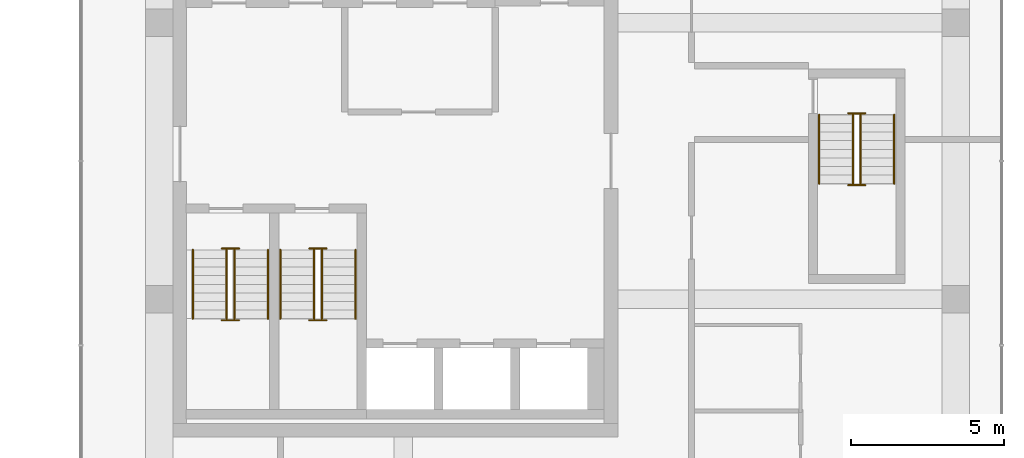
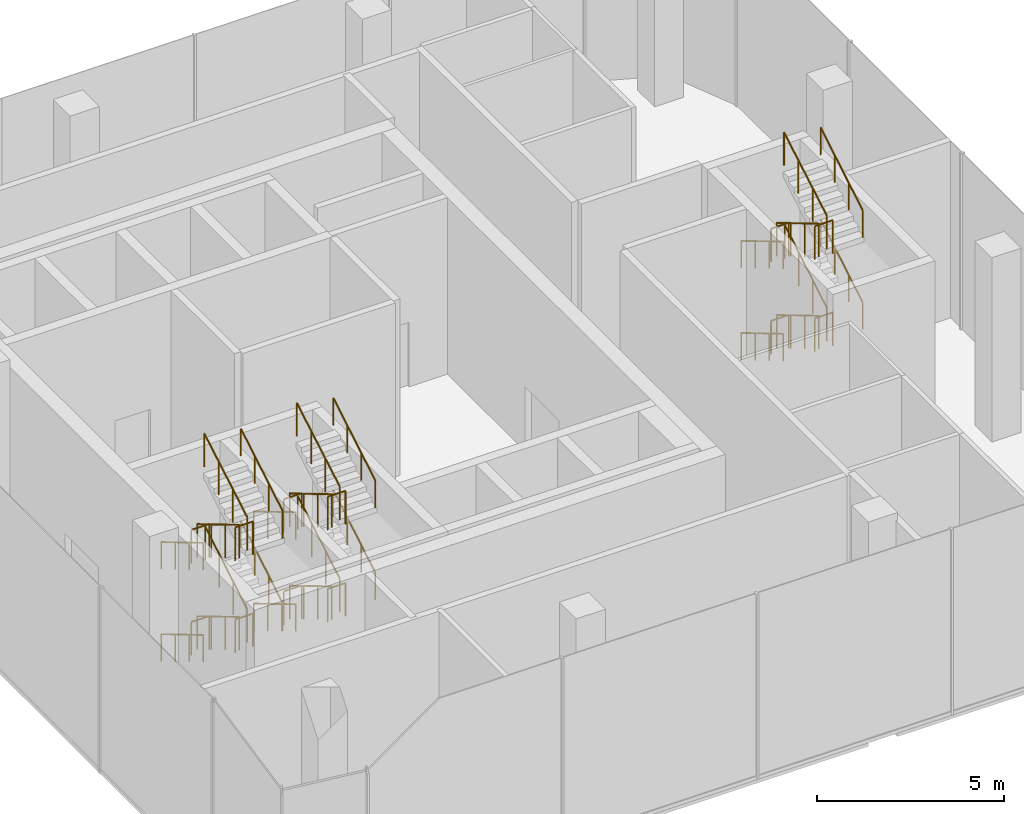
# One storey, part 24 of 24: 36 railings.
"""IFC4 building model written with IfcOpenShell, lengths in metres."""

from ifc_helpers import new_model, si_unit, direction, frame, origin, origin_2d, place, context, subcontext, project, spatial, circle, extrude, material, type_object, element, save


model = new_model("IFC4")

# Units and contexts
model_context = context("Model", 3, precision=1e-05, world=origin(), true_north=direction((0.0, 1.0)))
body_context = subcontext(model_context, "Body", "Model", "MODEL_VIEW")
ifc_project = project(units=[si_unit("LENGTHUNIT", "METRE"), si_unit("AREAUNIT", "SQUARE_METRE"), si_unit("VOLUMEUNIT", "CUBIC_METRE"), si_unit("PLANEANGLEUNIT", "RADIAN"), si_unit("MASSUNIT", "GRAM", prefix="KILO")], contexts=[model_context])

# Site, building, storey
site_placement = place(None, origin())
site = spatial("IfcSite", under=ifc_project, at=site_placement, CompositionType="ELEMENT")
building_placement = place(site_placement, origin())
building = spatial("IfcBuilding", under=site, at=building_placement, Name="Plateau Cross Towers", CompositionType="ELEMENT")
storey_placement = place(building_placement, frame((0.0, 0.0, 72.300048828125)))
storey = spatial("IfcBuildingStorey", under=building, at=storey_placement, Name="L18", CompositionType="ELEMENT", Elevation=72.300048828125)

# Railings
ifc_material_1 = material(Name="Stainless steel and toughened glass", Category="steel")
railing_type_1 = type_object("IfcRailingType", Name="RL-GUARD-1100", PredefinedType="GUARDRAIL", material=ifc_material_1)
railing_1_placement = place(storey_placement, frame((76.75, 6.10009765625, 0.16650390625)))
element("IfcRailing", 1, at=railing_1_placement, inside=storey, type_object=railing_type_1, Name="L18 SB-1 stair guard 1", PredefinedType="GUARDRAIL", context=body_context, shape_type="SweptSolid", body=[
    extrude(circle(Radius=0.02392578125, at=origin_2d()), frame((0.0, 0.0, 1.076171875), z_axis=(0.0, -0.859264461869, 0.511531606619), x_axis=(1.0, 0.0, 0.0)), (0.0, 0.0, 1.0), 2.60693359375),
    extrude(circle(Radius=0.02099609375, at=origin_2d()), origin(), (0.0, 0.0, 1.0), 1.052001953125),
    extrude(circle(Radius=0.02099609375, at=origin_2d()), frame((0.0, -0.74658203125, 0.444580078125)), (0.0, 0.0, 1.0), 1.052001953125),
    extrude(circle(Radius=0.02099609375, at=origin_2d()), frame((0.0, -1.493408203125, 0.888916015625)), (0.0, 0.0, 1.0), 1.052001953125),
    extrude(circle(Radius=0.02099609375, at=origin_2d()), frame((0.0, -2.239990234375, 1.33349609375)), (0.0, 0.0, 1.0), 1.052001953125),
])
railing_2_placement = place(storey_placement, frame((76.60009765625, 3.81005859375, 1.5)))
element("IfcRailing", 2, at=railing_2_placement, inside=storey, type_object=railing_type_1, Name="L18 SB-1 stair guard 2", PredefinedType="GUARDRAIL", context=body_context, shape_type="SweptSolid", body=[
    extrude(circle(Radius=0.02392578125, at=origin_2d()), frame((0.0, 0.0, 1.076171875), z_axis=(1.0, 0.0, 0.0), x_axis=(0.0, 1.0, 0.0)), (0.0, 0.0, 1.0), 0.5498046875),
    extrude(circle(Radius=0.02099609375, at=origin_2d()), origin(), (0.0, 0.0, 1.0), 1.052001953125),
    extrude(circle(Radius=0.02099609375, at=origin_2d()), frame((0.5498046875, 0.0, 0.0)), (0.0, 0.0, 1.0), 1.052001953125),
])
railing_3_placement = place(storey_placement, frame((77.0, 3.860107421875, 1.66650390625)))
element("IfcRailing", 3, at=railing_3_placement, inside=storey, type_object=railing_type_1, Name="L18 SB-1 stair guard 3", PredefinedType="GUARDRAIL", context=body_context, shape_type="SweptSolid", body=[
    extrude(circle(Radius=0.02392578125, at=origin_2d()), frame((0.0, 0.0, 1.076171875), z_axis=(0.0, 0.859264461869, 0.511531606619), x_axis=(-1.0, 0.0, 0.0)), (0.0, 0.0, 1.0), 2.60693359375),
    extrude(circle(Radius=0.02099609375, at=origin_2d()), origin(), (0.0, 0.0, 1.0), 1.052001953125),
    extrude(circle(Radius=0.02099609375, at=origin_2d()), frame((0.0, 0.74658203125, 0.444580078125)), (0.0, 0.0, 1.0), 1.052001953125),
    extrude(circle(Radius=0.02099609375, at=origin_2d()), frame((0.0, 1.493408203125, 0.888916015625)), (0.0, 0.0, 1.0), 1.052001953125),
    extrude(circle(Radius=0.02099609375, at=origin_2d()), frame((0.0, 2.239990234375, 1.33349609375)), (0.0, 0.0, 1.0), 1.052001953125),
])
railing_4_placement = place(storey_placement, frame((76.60009765625, 6.14990234375, 3.0)))
element("IfcRailing", 4, at=railing_4_placement, inside=storey, type_object=railing_type_1, Name="L18 SB-1 stair guard 4", PredefinedType="GUARDRAIL", context=body_context, shape_type="SweptSolid", body=[
    extrude(circle(Radius=0.02392578125, at=origin_2d()), frame((0.0, 0.0, 1.076171875), z_axis=(1.0, 0.0, 0.0), x_axis=(0.0, 1.0, 0.0)), (0.0, 0.0, 1.0), 0.5498046875),
    extrude(circle(Radius=0.02099609375, at=origin_2d()), origin(), (0.0, 0.0, 1.0), 1.052001953125),
    extrude(circle(Radius=0.02099609375, at=origin_2d()), frame((0.5498046875, 0.0, 0.0)), (0.0, 0.0, 1.0), 1.052001953125),
])
railing_5_placement = place(storey_placement, frame((76.75, 6.10009765625, 3.16650390625)))
element("IfcRailing", 5, at=railing_5_placement, inside=storey, type_object=railing_type_1, Name="L18 SB-1 stair guard 5", PredefinedType="GUARDRAIL", context=body_context, shape_type="SweptSolid", body=[
    extrude(circle(Radius=0.02392578125, at=origin_2d()), frame((0.0, 0.0, 1.076171875), z_axis=(0.0, -0.859264461869, 0.511531606619), x_axis=(1.0, 0.0, 0.0)), (0.0, 0.0, 1.0), 2.60693359375),
    extrude(circle(Radius=0.02099609375, at=origin_2d()), origin(), (0.0, 0.0, 1.0), 1.052001953125),
    extrude(circle(Radius=0.02099609375, at=origin_2d()), frame((0.0, -0.74658203125, 0.444580078125)), (0.0, 0.0, 1.0), 1.052001953125),
    extrude(circle(Radius=0.02099609375, at=origin_2d()), frame((0.0, -1.493408203125, 0.888916015625)), (0.0, 0.0, 1.0), 1.052001953125),
    extrude(circle(Radius=0.02099609375, at=origin_2d()), frame((0.0, -2.239990234375, 1.33349609375)), (0.0, 0.0, 1.0), 1.052001953125),
])
railing_6_placement = place(storey_placement, frame((76.60009765625, 3.81005859375, 4.5)))
element("IfcRailing", 6, at=railing_6_placement, inside=storey, type_object=railing_type_1, Name="L18 SB-1 stair guard 6", PredefinedType="GUARDRAIL", context=body_context, shape_type="SweptSolid", body=[
    extrude(circle(Radius=0.02392578125, at=origin_2d()), frame((0.0, 0.0, 1.076171875), z_axis=(1.0, 0.0, 0.0), x_axis=(0.0, 1.0, 0.0)), (0.0, 0.0, 1.0), 0.5498046875),
    extrude(circle(Radius=0.02099609375, at=origin_2d()), origin(), (0.0, 0.0, 1.0), 1.052001953125),
    extrude(circle(Radius=0.02099609375, at=origin_2d()), frame((0.5498046875, 0.0, 0.0)), (0.0, 0.0, 1.0), 1.052001953125),
])
railing_7_placement = place(storey_placement, frame((77.0, 3.860107421875, 4.66650390625)))
element("IfcRailing", 7, at=railing_7_placement, inside=storey, type_object=railing_type_1, Name="L18 SB-1 stair guard 7", PredefinedType="GUARDRAIL", context=body_context, shape_type="SweptSolid", body=[
    extrude(circle(Radius=0.02392578125, at=origin_2d()), frame((0.0, 0.0, 1.076171875), z_axis=(0.0, 0.864142922442, 0.503246470026), x_axis=(-1.0, 0.0, 0.0)), (0.0, 0.0, 1.0), 2.64990234375),
    extrude(circle(Radius=0.02099609375, at=origin_2d()), origin(), (0.0, 0.0, 1.0), 1.052001953125),
    extrude(circle(Radius=0.02099609375, at=origin_2d()), frame((0.0, 0.76318359375, 0.444580078125)), (0.0, 0.0, 1.0), 1.052001953125),
    extrude(circle(Radius=0.02099609375, at=origin_2d()), frame((0.0, 1.526611328125, 0.888916015625)), (0.0, 0.0, 1.0), 1.052001953125),
    extrude(circle(Radius=0.02099609375, at=origin_2d()), frame((0.0, 2.289794921875, 1.33349609375)), (0.0, 0.0, 1.0), 1.052001953125),
])
railing_8_placement = place(storey_placement, frame((76.60009765625, 6.14990234375, 0.0)))
element("IfcRailing", 8, at=railing_8_placement, inside=storey, type_object=railing_type_1, Name="L18 SB-1 stair guard 8", PredefinedType="GUARDRAIL", context=body_context, shape_type="SweptSolid", body=[
    extrude(circle(Radius=0.02392578125, at=origin_2d()), frame((0.0, 0.0, 1.076171875), z_axis=(1.0, 0.0, 0.0), x_axis=(0.0, 1.0, 0.0)), (0.0, 0.0, 1.0), 0.5498046875),
    extrude(circle(Radius=0.02099609375, at=origin_2d()), origin(), (0.0, 0.0, 1.0), 1.052001953125),
    extrude(circle(Radius=0.02099609375, at=origin_2d()), frame((0.5498046875, 0.0, 0.0)), (0.0, 0.0, 1.0), 1.052001953125),
])
railing_9_placement = place(storey_placement, frame((79.60009765625, 6.10009765625, 0.16650390625)))
element("IfcRailing", 9, at=railing_9_placement, inside=storey, type_object=railing_type_1, Name="L18 SB-2 stair guard 1", PredefinedType="GUARDRAIL", context=body_context, shape_type="SweptSolid", body=[
    extrude(circle(Radius=0.02392578125, at=origin_2d()), frame((0.0, 0.0, 1.076171875), z_axis=(0.0, -0.859264461869, 0.511531606619), x_axis=(1.0, 0.0, 0.0)), (0.0, 0.0, 1.0), 2.60693359375),
    extrude(circle(Radius=0.02099609375, at=origin_2d()), origin(), (0.0, 0.0, 1.0), 1.052001953125),
    extrude(circle(Radius=0.02099609375, at=origin_2d()), frame((0.0, -0.74658203125, 0.444580078125)), (0.0, 0.0, 1.0), 1.052001953125),
    extrude(circle(Radius=0.02099609375, at=origin_2d()), frame((0.0, -1.493408203125, 0.888916015625)), (0.0, 0.0, 1.0), 1.052001953125),
    extrude(circle(Radius=0.02099609375, at=origin_2d()), frame((0.0, -2.239990234375, 1.33349609375)), (0.0, 0.0, 1.0), 1.052001953125),
])
railing_10_placement = place(storey_placement, frame((79.449951171875, 3.81005859375, 1.5)))
element("IfcRailing", 10, at=railing_10_placement, inside=storey, type_object=railing_type_1, Name="L18 SB-2 stair guard 2", PredefinedType="GUARDRAIL", context=body_context, shape_type="SweptSolid", body=[
    extrude(circle(Radius=0.02392578125, at=origin_2d()), frame((0.0, 0.0, 1.076171875), z_axis=(1.0, 0.0, 0.0), x_axis=(0.0, 1.0, 0.0)), (0.0, 0.0, 1.0), 0.550048828125),
    extrude(circle(Radius=0.02099609375, at=origin_2d()), origin(), (0.0, 0.0, 1.0), 1.052001953125),
    extrude(circle(Radius=0.02099609375, at=origin_2d()), frame((0.550048828125, 0.0, 0.0)), (0.0, 0.0, 1.0), 1.052001953125),
])
railing_11_placement = place(storey_placement, frame((79.85009765625, 3.860107421875, 1.66650390625)))
element("IfcRailing", 11, at=railing_11_placement, inside=storey, type_object=railing_type_1, Name="L18 SB-2 stair guard 3", PredefinedType="GUARDRAIL", context=body_context, shape_type="SweptSolid", body=[
    extrude(circle(Radius=0.02392578125, at=origin_2d()), frame((0.0, 0.0, 1.076171875), z_axis=(0.0, 0.859264461869, 0.511531606619), x_axis=(-1.0, 0.0, 0.0)), (0.0, 0.0, 1.0), 2.60693359375),
    extrude(circle(Radius=0.02099609375, at=origin_2d()), origin(), (0.0, 0.0, 1.0), 1.052001953125),
    extrude(circle(Radius=0.02099609375, at=origin_2d()), frame((0.0, 0.74658203125, 0.444580078125)), (0.0, 0.0, 1.0), 1.052001953125),
    extrude(circle(Radius=0.02099609375, at=origin_2d()), frame((0.0, 1.493408203125, 0.888916015625)), (0.0, 0.0, 1.0), 1.052001953125),
    extrude(circle(Radius=0.02099609375, at=origin_2d()), frame((0.0, 2.239990234375, 1.33349609375)), (0.0, 0.0, 1.0), 1.052001953125),
])
railing_12_placement = place(storey_placement, frame((79.449951171875, 6.14990234375, 3.0)))
element("IfcRailing", 12, at=railing_12_placement, inside=storey, type_object=railing_type_1, Name="L18 SB-2 stair guard 4", PredefinedType="GUARDRAIL", context=body_context, shape_type="SweptSolid", body=[
    extrude(circle(Radius=0.02392578125, at=origin_2d()), frame((0.0, 0.0, 1.076171875), z_axis=(1.0, 0.0, 0.0), x_axis=(0.0, 1.0, 0.0)), (0.0, 0.0, 1.0), 0.550048828125),
    extrude(circle(Radius=0.02099609375, at=origin_2d()), origin(), (0.0, 0.0, 1.0), 1.052001953125),
    extrude(circle(Radius=0.02099609375, at=origin_2d()), frame((0.550048828125, 0.0, 0.0)), (0.0, 0.0, 1.0), 1.052001953125),
])
railing_13_placement = place(storey_placement, frame((79.60009765625, 6.10009765625, 3.16650390625)))
element("IfcRailing", 13, at=railing_13_placement, inside=storey, type_object=railing_type_1, Name="L18 SB-2 stair guard 5", PredefinedType="GUARDRAIL", context=body_context, shape_type="SweptSolid", body=[
    extrude(circle(Radius=0.02392578125, at=origin_2d()), frame((0.0, 0.0, 1.076171875), z_axis=(0.0, -0.859264461869, 0.511531606619), x_axis=(1.0, 0.0, 0.0)), (0.0, 0.0, 1.0), 2.60693359375),
    extrude(circle(Radius=0.02099609375, at=origin_2d()), origin(), (0.0, 0.0, 1.0), 1.052001953125),
    extrude(circle(Radius=0.02099609375, at=origin_2d()), frame((0.0, -0.74658203125, 0.444580078125)), (0.0, 0.0, 1.0), 1.052001953125),
    extrude(circle(Radius=0.02099609375, at=origin_2d()), frame((0.0, -1.493408203125, 0.888916015625)), (0.0, 0.0, 1.0), 1.052001953125),
    extrude(circle(Radius=0.02099609375, at=origin_2d()), frame((0.0, -2.239990234375, 1.33349609375)), (0.0, 0.0, 1.0), 1.052001953125),
])
railing_14_placement = place(storey_placement, frame((79.449951171875, 3.81005859375, 4.5)))
element("IfcRailing", 14, at=railing_14_placement, inside=storey, type_object=railing_type_1, Name="L18 SB-2 stair guard 6", PredefinedType="GUARDRAIL", context=body_context, shape_type="SweptSolid", body=[
    extrude(circle(Radius=0.02392578125, at=origin_2d()), frame((0.0, 0.0, 1.076171875), z_axis=(1.0, 0.0, 0.0), x_axis=(0.0, 1.0, 0.0)), (0.0, 0.0, 1.0), 0.550048828125),
    extrude(circle(Radius=0.02099609375, at=origin_2d()), origin(), (0.0, 0.0, 1.0), 1.052001953125),
    extrude(circle(Radius=0.02099609375, at=origin_2d()), frame((0.550048828125, 0.0, 0.0)), (0.0, 0.0, 1.0), 1.052001953125),
])
railing_15_placement = place(storey_placement, frame((79.85009765625, 3.860107421875, 4.66650390625)))
element("IfcRailing", 15, at=railing_15_placement, inside=storey, type_object=railing_type_1, Name="L18 SB-2 stair guard 7", PredefinedType="GUARDRAIL", context=body_context, shape_type="SweptSolid", body=[
    extrude(circle(Radius=0.02392578125, at=origin_2d()), frame((0.0, 0.0, 1.076171875), z_axis=(0.0, 0.864142922442, 0.503246470026), x_axis=(-1.0, 0.0, 0.0)), (0.0, 0.0, 1.0), 2.64990234375),
    extrude(circle(Radius=0.02099609375, at=origin_2d()), origin(), (0.0, 0.0, 1.0), 1.052001953125),
    extrude(circle(Radius=0.02099609375, at=origin_2d()), frame((0.0, 0.76318359375, 0.444580078125)), (0.0, 0.0, 1.0), 1.052001953125),
    extrude(circle(Radius=0.02099609375, at=origin_2d()), frame((0.0, 1.526611328125, 0.888916015625)), (0.0, 0.0, 1.0), 1.052001953125),
    extrude(circle(Radius=0.02099609375, at=origin_2d()), frame((0.0, 2.289794921875, 1.33349609375)), (0.0, 0.0, 1.0), 1.052001953125),
])
railing_16_placement = place(storey_placement, frame((79.449951171875, 6.14990234375, 0.0)))
element("IfcRailing", 16, at=railing_16_placement, inside=storey, type_object=railing_type_1, Name="L18 SB-2 stair guard 8", PredefinedType="GUARDRAIL", context=body_context, shape_type="SweptSolid", body=[
    extrude(circle(Radius=0.02392578125, at=origin_2d()), frame((0.0, 0.0, 1.076171875), z_axis=(1.0, 0.0, 0.0), x_axis=(0.0, 1.0, 0.0)), (0.0, 0.0, 1.0), 0.550048828125),
    extrude(circle(Radius=0.02099609375, at=origin_2d()), origin(), (0.0, 0.0, 1.0), 1.052001953125),
    extrude(circle(Radius=0.02099609375, at=origin_2d()), frame((0.550048828125, 0.0, 0.0)), (0.0, 0.0, 1.0), 1.052001953125),
])
railing_17_placement = place(storey_placement, frame((97.14990234375, 10.5, 0.16650390625)))
element("IfcRailing", 17, at=railing_17_placement, inside=storey, type_object=railing_type_1, Name="L18 SB-3 stair guard 1", PredefinedType="GUARDRAIL", context=body_context, shape_type="SweptSolid", body=[
    extrude(circle(Radius=0.02392578125, at=origin_2d()), frame((0.0, 0.0, 1.076171875), z_axis=(0.0, -0.859264461869, 0.511531606619), x_axis=(1.0, 0.0, 0.0)), (0.0, 0.0, 1.0), 2.60693359375),
    extrude(circle(Radius=0.02099609375, at=origin_2d()), origin(), (0.0, 0.0, 1.0), 1.052001953125),
    extrude(circle(Radius=0.02099609375, at=origin_2d()), frame((0.0, -0.74658203125, 0.444580078125)), (0.0, 0.0, 1.0), 1.052001953125),
    extrude(circle(Radius=0.02099609375, at=origin_2d()), frame((0.0, -1.493408203125, 0.888916015625)), (0.0, 0.0, 1.0), 1.052001953125),
    extrude(circle(Radius=0.02099609375, at=origin_2d()), frame((0.0, -2.239990234375, 1.33349609375)), (0.0, 0.0, 1.0), 1.052001953125),
])
railing_18_placement = place(storey_placement, frame((97.0, 8.2099609375, 1.5)))
element("IfcRailing", 18, at=railing_18_placement, inside=storey, type_object=railing_type_1, Name="L18 SB-3 stair guard 2", PredefinedType="GUARDRAIL", context=body_context, shape_type="SweptSolid", body=[
    extrude(circle(Radius=0.02392578125, at=origin_2d()), frame((0.0, 0.0, 1.076171875), z_axis=(1.0, 0.0, 0.0), x_axis=(0.0, 1.0, 0.0)), (0.0, 0.0, 1.0), 0.550048828125),
    extrude(circle(Radius=0.02099609375, at=origin_2d()), origin(), (0.0, 0.0, 1.0), 1.052001953125),
    extrude(circle(Radius=0.02099609375, at=origin_2d()), frame((0.550048828125, 0.0, 0.0)), (0.0, 0.0, 1.0), 1.052001953125),
])
railing_19_placement = place(storey_placement, frame((97.39990234375, 8.260009765625, 1.66650390625)))
element("IfcRailing", 19, at=railing_19_placement, inside=storey, type_object=railing_type_1, Name="L18 SB-3 stair guard 3", PredefinedType="GUARDRAIL", context=body_context, shape_type="SweptSolid", body=[
    extrude(circle(Radius=0.02392578125, at=origin_2d()), frame((0.0, 0.0, 1.076171875), z_axis=(0.0, 0.859264461869, 0.511531606619), x_axis=(-1.0, 0.0, 0.0)), (0.0, 0.0, 1.0), 2.60693359375),
    extrude(circle(Radius=0.02099609375, at=origin_2d()), origin(), (0.0, 0.0, 1.0), 1.052001953125),
    extrude(circle(Radius=0.02099609375, at=origin_2d()), frame((0.0, 0.74658203125, 0.444580078125)), (0.0, 0.0, 1.0), 1.052001953125),
    extrude(circle(Radius=0.02099609375, at=origin_2d()), frame((0.0, 1.493408203125, 0.888916015625)), (0.0, 0.0, 1.0), 1.052001953125),
    extrude(circle(Radius=0.02099609375, at=origin_2d()), frame((0.0, 2.239990234375, 1.33349609375)), (0.0, 0.0, 1.0), 1.052001953125),
])
railing_20_placement = place(storey_placement, frame((97.0, 10.550048828125, 3.0)))
element("IfcRailing", 20, at=railing_20_placement, inside=storey, type_object=railing_type_1, Name="L18 SB-3 stair guard 4", PredefinedType="GUARDRAIL", context=body_context, shape_type="SweptSolid", body=[
    extrude(circle(Radius=0.02392578125, at=origin_2d()), frame((0.0, 0.0, 1.076171875), z_axis=(1.0, 0.0, 0.0), x_axis=(0.0, 1.0, 0.0)), (0.0, 0.0, 1.0), 0.550048828125),
    extrude(circle(Radius=0.02099609375, at=origin_2d()), origin(), (0.0, 0.0, 1.0), 1.052001953125),
    extrude(circle(Radius=0.02099609375, at=origin_2d()), frame((0.550048828125, 0.0, 0.0)), (0.0, 0.0, 1.0), 1.052001953125),
])
railing_21_placement = place(storey_placement, frame((97.14990234375, 10.5, 3.16650390625)))
element("IfcRailing", 21, at=railing_21_placement, inside=storey, type_object=railing_type_1, Name="L18 SB-3 stair guard 5", PredefinedType="GUARDRAIL", context=body_context, shape_type="SweptSolid", body=[
    extrude(circle(Radius=0.02392578125, at=origin_2d()), frame((0.0, 0.0, 1.076171875), z_axis=(0.0, -0.859264461869, 0.511531606619), x_axis=(1.0, 0.0, 0.0)), (0.0, 0.0, 1.0), 2.60693359375),
    extrude(circle(Radius=0.02099609375, at=origin_2d()), origin(), (0.0, 0.0, 1.0), 1.052001953125),
    extrude(circle(Radius=0.02099609375, at=origin_2d()), frame((0.0, -0.74658203125, 0.444580078125)), (0.0, 0.0, 1.0), 1.052001953125),
    extrude(circle(Radius=0.02099609375, at=origin_2d()), frame((0.0, -1.493408203125, 0.888916015625)), (0.0, 0.0, 1.0), 1.052001953125),
    extrude(circle(Radius=0.02099609375, at=origin_2d()), frame((0.0, -2.239990234375, 1.33349609375)), (0.0, 0.0, 1.0), 1.052001953125),
])
railing_22_placement = place(storey_placement, frame((97.0, 8.2099609375, 4.5)))
element("IfcRailing", 22, at=railing_22_placement, inside=storey, type_object=railing_type_1, Name="L18 SB-3 stair guard 6", PredefinedType="GUARDRAIL", context=body_context, shape_type="SweptSolid", body=[
    extrude(circle(Radius=0.02392578125, at=origin_2d()), frame((0.0, 0.0, 1.076171875), z_axis=(1.0, 0.0, 0.0), x_axis=(0.0, 1.0, 0.0)), (0.0, 0.0, 1.0), 0.550048828125),
    extrude(circle(Radius=0.02099609375, at=origin_2d()), origin(), (0.0, 0.0, 1.0), 1.052001953125),
    extrude(circle(Radius=0.02099609375, at=origin_2d()), frame((0.550048828125, 0.0, 0.0)), (0.0, 0.0, 1.0), 1.052001953125),
])
railing_23_placement = place(storey_placement, frame((97.39990234375, 8.260009765625, 4.66650390625)))
element("IfcRailing", 23, at=railing_23_placement, inside=storey, type_object=railing_type_1, Name="L18 SB-3 stair guard 7", PredefinedType="GUARDRAIL", context=body_context, shape_type="SweptSolid", body=[
    extrude(circle(Radius=0.02392578125, at=origin_2d()), frame((0.0, 0.0, 1.076171875), z_axis=(0.0, 0.864166253726, 0.503206404888), x_axis=(-1.0, 0.0, 0.0)), (0.0, 0.0, 1.0), 2.64990234375),
    extrude(circle(Radius=0.02099609375, at=origin_2d()), origin(), (0.0, 0.0, 1.0), 1.052001953125),
    extrude(circle(Radius=0.02099609375, at=origin_2d()), frame((0.0, 0.763427734375, 0.444580078125)), (0.0, 0.0, 1.0), 1.052001953125),
    extrude(circle(Radius=0.02099609375, at=origin_2d()), frame((0.0, 1.526611328125, 0.888916015625)), (0.0, 0.0, 1.0), 1.052001953125),
    extrude(circle(Radius=0.02099609375, at=origin_2d()), frame((0.0, 2.2900390625, 1.33349609375)), (0.0, 0.0, 1.0), 1.052001953125),
])
railing_24_placement = place(storey_placement, frame((97.0, 10.550048828125, 0.0)))
element("IfcRailing", 24, at=railing_24_placement, inside=storey, type_object=railing_type_1, Name="L18 SB-3 stair guard 8", PredefinedType="GUARDRAIL", context=body_context, shape_type="SweptSolid", body=[
    extrude(circle(Radius=0.02392578125, at=origin_2d()), frame((0.0, 0.0, 1.076171875), z_axis=(1.0, 0.0, 0.0), x_axis=(0.0, 1.0, 0.0)), (0.0, 0.0, 1.0), 0.550048828125),
    extrude(circle(Radius=0.02099609375, at=origin_2d()), origin(), (0.0, 0.0, 1.0), 1.052001953125),
    extrude(circle(Radius=0.02099609375, at=origin_2d()), frame((0.550048828125, 0.0, 0.0)), (0.0, 0.0, 1.0), 1.052001953125),
])
ifc_material_2 = material(Name="Black anodised aluminium", Category="aluminium")
railing_type_2 = type_object("IfcRailingType", Name="RL-HANDRAIL-900", PredefinedType="HANDRAIL", material=ifc_material_2)
railing_25_placement = place(storey_placement, frame((75.64990234375, 6.10009765625, 0.16650390625)))
element("IfcRailing", 25, at=railing_25_placement, inside=storey, type_object=railing_type_2, Name="L18 SB-1 stair handrail 1", PredefinedType="HANDRAIL", context=body_context, shape_type="SweptSolid", body=[
    extrude(circle(Radius=0.02392578125, at=origin_2d()), frame((0.0, 0.0, 0.8759765625), z_axis=(0.0, -0.859264461869, 0.511531606619), x_axis=(1.0, 0.0, 0.0)), (0.0, 0.0, 1.0), 2.60693359375),
    extrude(circle(Radius=0.02099609375, at=origin_2d()), origin(), (0.0, 0.0, 1.0), 0.851806640625),
    extrude(circle(Radius=0.02099609375, at=origin_2d()), frame((0.0, -0.74658203125, 0.444580078125)), (0.0, 0.0, 1.0), 0.851806640625),
    extrude(circle(Radius=0.02099609375, at=origin_2d()), frame((0.0, -1.493408203125, 0.888916015625)), (0.0, 0.0, 1.0), 0.851806640625),
    extrude(circle(Radius=0.02099609375, at=origin_2d()), frame((0.0, -2.239990234375, 1.33349609375)), (0.0, 0.0, 1.0), 0.851806640625),
])
railing_26_placement = place(storey_placement, frame((78.10009765625, 3.860107421875, 1.66650390625)))
element("IfcRailing", 26, at=railing_26_placement, inside=storey, type_object=railing_type_2, Name="L18 SB-1 stair handrail 2", PredefinedType="HANDRAIL", context=body_context, shape_type="SweptSolid", body=[
    extrude(circle(Radius=0.02392578125, at=origin_2d()), frame((0.0, 0.0, 0.8759765625), z_axis=(0.0, 0.859264461869, 0.511531606619), x_axis=(-1.0, 0.0, 0.0)), (0.0, 0.0, 1.0), 2.60693359375),
    extrude(circle(Radius=0.02099609375, at=origin_2d()), origin(), (0.0, 0.0, 1.0), 0.851806640625),
    extrude(circle(Radius=0.02099609375, at=origin_2d()), frame((0.0, 0.74658203125, 0.444580078125)), (0.0, 0.0, 1.0), 0.851806640625),
    extrude(circle(Radius=0.02099609375, at=origin_2d()), frame((0.0, 1.493408203125, 0.888916015625)), (0.0, 0.0, 1.0), 0.851806640625),
    extrude(circle(Radius=0.02099609375, at=origin_2d()), frame((0.0, 2.239990234375, 1.33349609375)), (0.0, 0.0, 1.0), 0.851806640625),
])
railing_27_placement = place(storey_placement, frame((75.64990234375, 6.10009765625, 3.16650390625)))
element("IfcRailing", 27, at=railing_27_placement, inside=storey, type_object=railing_type_2, Name="L18 SB-1 stair handrail 3", PredefinedType="HANDRAIL", context=body_context, shape_type="SweptSolid", body=[
    extrude(circle(Radius=0.02392578125, at=origin_2d()), frame((0.0, 0.0, 0.8759765625), z_axis=(0.0, -0.859264461869, 0.511531606619), x_axis=(1.0, 0.0, 0.0)), (0.0, 0.0, 1.0), 2.60693359375),
    extrude(circle(Radius=0.02099609375, at=origin_2d()), origin(), (0.0, 0.0, 1.0), 0.851806640625),
    extrude(circle(Radius=0.02099609375, at=origin_2d()), frame((0.0, -0.74658203125, 0.444580078125)), (0.0, 0.0, 1.0), 0.851806640625),
    extrude(circle(Radius=0.02099609375, at=origin_2d()), frame((0.0, -1.493408203125, 0.888916015625)), (0.0, 0.0, 1.0), 0.851806640625),
    extrude(circle(Radius=0.02099609375, at=origin_2d()), frame((0.0, -2.239990234375, 1.33349609375)), (0.0, 0.0, 1.0), 0.851806640625),
])
railing_28_placement = place(storey_placement, frame((78.10009765625, 3.860107421875, 4.66650390625)))
element("IfcRailing", 28, at=railing_28_placement, inside=storey, type_object=railing_type_2, Name="L18 SB-1 stair handrail 4", PredefinedType="HANDRAIL", context=body_context, shape_type="SweptSolid", body=[
    extrude(circle(Radius=0.02392578125, at=origin_2d()), frame((0.0, 0.0, 0.8759765625), z_axis=(0.0, 0.859264461869, 0.511531606619), x_axis=(-1.0, 0.0, 0.0)), (0.0, 0.0, 1.0), 2.60693359375),
    extrude(circle(Radius=0.02099609375, at=origin_2d()), origin(), (0.0, 0.0, 1.0), 0.851806640625),
    extrude(circle(Radius=0.02099609375, at=origin_2d()), frame((0.0, 0.74658203125, 0.444580078125)), (0.0, 0.0, 1.0), 0.851806640625),
    extrude(circle(Radius=0.02099609375, at=origin_2d()), frame((0.0, 1.493408203125, 0.888916015625)), (0.0, 0.0, 1.0), 0.851806640625),
    extrude(circle(Radius=0.02099609375, at=origin_2d()), frame((0.0, 2.239990234375, 1.33349609375)), (0.0, 0.0, 1.0), 0.851806640625),
])
railing_29_placement = place(storey_placement, frame((78.5, 6.10009765625, 0.16650390625)))
element("IfcRailing", 29, at=railing_29_placement, inside=storey, type_object=railing_type_2, Name="L18 SB-2 stair handrail 1", PredefinedType="HANDRAIL", context=body_context, shape_type="SweptSolid", body=[
    extrude(circle(Radius=0.02392578125, at=origin_2d()), frame((0.0, 0.0, 0.8759765625), z_axis=(0.0, -0.859264461869, 0.511531606619), x_axis=(1.0, 0.0, 0.0)), (0.0, 0.0, 1.0), 2.60693359375),
    extrude(circle(Radius=0.02099609375, at=origin_2d()), origin(), (0.0, 0.0, 1.0), 0.851806640625),
    extrude(circle(Radius=0.02099609375, at=origin_2d()), frame((0.0, -0.74658203125, 0.444580078125)), (0.0, 0.0, 1.0), 0.851806640625),
    extrude(circle(Radius=0.02099609375, at=origin_2d()), frame((0.0, -1.493408203125, 0.888916015625)), (0.0, 0.0, 1.0), 0.851806640625),
    extrude(circle(Radius=0.02099609375, at=origin_2d()), frame((0.0, -2.239990234375, 1.33349609375)), (0.0, 0.0, 1.0), 0.851806640625),
])
railing_30_placement = place(storey_placement, frame((80.949951171875, 3.860107421875, 1.66650390625)))
element("IfcRailing", 30, at=railing_30_placement, inside=storey, type_object=railing_type_2, Name="L18 SB-2 stair handrail 2", PredefinedType="HANDRAIL", context=body_context, shape_type="SweptSolid", body=[
    extrude(circle(Radius=0.02392578125, at=origin_2d()), frame((0.0, 0.0, 0.8759765625), z_axis=(0.0, 0.859264461869, 0.511531606619), x_axis=(-1.0, 0.0, 0.0)), (0.0, 0.0, 1.0), 2.60693359375),
    extrude(circle(Radius=0.02099609375, at=origin_2d()), origin(), (0.0, 0.0, 1.0), 0.851806640625),
    extrude(circle(Radius=0.02099609375, at=origin_2d()), frame((0.0, 0.74658203125, 0.444580078125)), (0.0, 0.0, 1.0), 0.851806640625),
    extrude(circle(Radius=0.02099609375, at=origin_2d()), frame((0.0, 1.493408203125, 0.888916015625)), (0.0, 0.0, 1.0), 0.851806640625),
    extrude(circle(Radius=0.02099609375, at=origin_2d()), frame((0.0, 2.239990234375, 1.33349609375)), (0.0, 0.0, 1.0), 0.851806640625),
])
railing_31_placement = place(storey_placement, frame((78.5, 6.10009765625, 3.16650390625)))
element("IfcRailing", 31, at=railing_31_placement, inside=storey, type_object=railing_type_2, Name="L18 SB-2 stair handrail 3", PredefinedType="HANDRAIL", context=body_context, shape_type="SweptSolid", body=[
    extrude(circle(Radius=0.02392578125, at=origin_2d()), frame((0.0, 0.0, 0.8759765625), z_axis=(0.0, -0.859264461869, 0.511531606619), x_axis=(1.0, 0.0, 0.0)), (0.0, 0.0, 1.0), 2.60693359375),
    extrude(circle(Radius=0.02099609375, at=origin_2d()), origin(), (0.0, 0.0, 1.0), 0.851806640625),
    extrude(circle(Radius=0.02099609375, at=origin_2d()), frame((0.0, -0.74658203125, 0.444580078125)), (0.0, 0.0, 1.0), 0.851806640625),
    extrude(circle(Radius=0.02099609375, at=origin_2d()), frame((0.0, -1.493408203125, 0.888916015625)), (0.0, 0.0, 1.0), 0.851806640625),
    extrude(circle(Radius=0.02099609375, at=origin_2d()), frame((0.0, -2.239990234375, 1.33349609375)), (0.0, 0.0, 1.0), 0.851806640625),
])
railing_32_placement = place(storey_placement, frame((80.949951171875, 3.860107421875, 4.66650390625)))
element("IfcRailing", 32, at=railing_32_placement, inside=storey, type_object=railing_type_2, Name="L18 SB-2 stair handrail 4", PredefinedType="HANDRAIL", context=body_context, shape_type="SweptSolid", body=[
    extrude(circle(Radius=0.02392578125, at=origin_2d()), frame((0.0, 0.0, 0.8759765625), z_axis=(0.0, 0.859264461869, 0.511531606619), x_axis=(-1.0, 0.0, 0.0)), (0.0, 0.0, 1.0), 2.60693359375),
    extrude(circle(Radius=0.02099609375, at=origin_2d()), origin(), (0.0, 0.0, 1.0), 0.851806640625),
    extrude(circle(Radius=0.02099609375, at=origin_2d()), frame((0.0, 0.74658203125, 0.444580078125)), (0.0, 0.0, 1.0), 0.851806640625),
    extrude(circle(Radius=0.02099609375, at=origin_2d()), frame((0.0, 1.493408203125, 0.888916015625)), (0.0, 0.0, 1.0), 0.851806640625),
    extrude(circle(Radius=0.02099609375, at=origin_2d()), frame((0.0, 2.239990234375, 1.33349609375)), (0.0, 0.0, 1.0), 0.851806640625),
])
railing_33_placement = place(storey_placement, frame((96.050048828125, 10.5, 0.16650390625)))
element("IfcRailing", 33, at=railing_33_placement, inside=storey, type_object=railing_type_2, Name="L18 SB-3 stair handrail 1", PredefinedType="HANDRAIL", context=body_context, shape_type="SweptSolid", body=[
    extrude(circle(Radius=0.02392578125, at=origin_2d()), frame((0.0, 0.0, 0.8759765625), z_axis=(0.0, -0.859264461869, 0.511531606619), x_axis=(1.0, 0.0, 0.0)), (0.0, 0.0, 1.0), 2.60693359375),
    extrude(circle(Radius=0.02099609375, at=origin_2d()), origin(), (0.0, 0.0, 1.0), 0.851806640625),
    extrude(circle(Radius=0.02099609375, at=origin_2d()), frame((0.0, -0.74658203125, 0.444580078125)), (0.0, 0.0, 1.0), 0.851806640625),
    extrude(circle(Radius=0.02099609375, at=origin_2d()), frame((0.0, -1.493408203125, 0.888916015625)), (0.0, 0.0, 1.0), 0.851806640625),
    extrude(circle(Radius=0.02099609375, at=origin_2d()), frame((0.0, -2.239990234375, 1.33349609375)), (0.0, 0.0, 1.0), 0.851806640625),
])
railing_34_placement = place(storey_placement, frame((98.5, 8.260009765625, 1.66650390625)))
element("IfcRailing", 34, at=railing_34_placement, inside=storey, type_object=railing_type_2, Name="L18 SB-3 stair handrail 2", PredefinedType="HANDRAIL", context=body_context, shape_type="SweptSolid", body=[
    extrude(circle(Radius=0.02392578125, at=origin_2d()), frame((0.0, 0.0, 0.8759765625), z_axis=(0.0, 0.859264461869, 0.511531606619), x_axis=(-1.0, 0.0, 0.0)), (0.0, 0.0, 1.0), 2.60693359375),
    extrude(circle(Radius=0.02099609375, at=origin_2d()), origin(), (0.0, 0.0, 1.0), 0.851806640625),
    extrude(circle(Radius=0.02099609375, at=origin_2d()), frame((0.0, 0.74658203125, 0.444580078125)), (0.0, 0.0, 1.0), 0.851806640625),
    extrude(circle(Radius=0.02099609375, at=origin_2d()), frame((0.0, 1.493408203125, 0.888916015625)), (0.0, 0.0, 1.0), 0.851806640625),
    extrude(circle(Radius=0.02099609375, at=origin_2d()), frame((0.0, 2.239990234375, 1.33349609375)), (0.0, 0.0, 1.0), 0.851806640625),
])
railing_35_placement = place(storey_placement, frame((96.050048828125, 10.5, 3.16650390625)))
element("IfcRailing", 35, at=railing_35_placement, inside=storey, type_object=railing_type_2, Name="L18 SB-3 stair handrail 3", PredefinedType="HANDRAIL", context=body_context, shape_type="SweptSolid", body=[
    extrude(circle(Radius=0.02392578125, at=origin_2d()), frame((0.0, 0.0, 0.8759765625), z_axis=(0.0, -0.859264461869, 0.511531606619), x_axis=(1.0, 0.0, 0.0)), (0.0, 0.0, 1.0), 2.60693359375),
    extrude(circle(Radius=0.02099609375, at=origin_2d()), origin(), (0.0, 0.0, 1.0), 0.851806640625),
    extrude(circle(Radius=0.02099609375, at=origin_2d()), frame((0.0, -0.74658203125, 0.444580078125)), (0.0, 0.0, 1.0), 0.851806640625),
    extrude(circle(Radius=0.02099609375, at=origin_2d()), frame((0.0, -1.493408203125, 0.888916015625)), (0.0, 0.0, 1.0), 0.851806640625),
    extrude(circle(Radius=0.02099609375, at=origin_2d()), frame((0.0, -2.239990234375, 1.33349609375)), (0.0, 0.0, 1.0), 0.851806640625),
])
railing_36_placement = place(storey_placement, frame((98.5, 8.260009765625, 4.66650390625)))
element("IfcRailing", 36, at=railing_36_placement, inside=storey, type_object=railing_type_2, Name="L18 SB-3 stair handrail 4", PredefinedType="HANDRAIL", context=body_context, shape_type="SweptSolid", body=[
    extrude(circle(Radius=0.02392578125, at=origin_2d()), frame((0.0, 0.0, 0.8759765625), z_axis=(0.0, 0.859264461869, 0.511531606619), x_axis=(-1.0, 0.0, 0.0)), (0.0, 0.0, 1.0), 2.60693359375),
    extrude(circle(Radius=0.02099609375, at=origin_2d()), origin(), (0.0, 0.0, 1.0), 0.851806640625),
    extrude(circle(Radius=0.02099609375, at=origin_2d()), frame((0.0, 0.74658203125, 0.444580078125)), (0.0, 0.0, 1.0), 0.851806640625),
    extrude(circle(Radius=0.02099609375, at=origin_2d()), frame((0.0, 1.493408203125, 0.888916015625)), (0.0, 0.0, 1.0), 0.851806640625),
    extrude(circle(Radius=0.02099609375, at=origin_2d()), frame((0.0, 2.239990234375, 1.33349609375)), (0.0, 0.0, 1.0), 0.851806640625),
])

save(model, "model.ifc")
